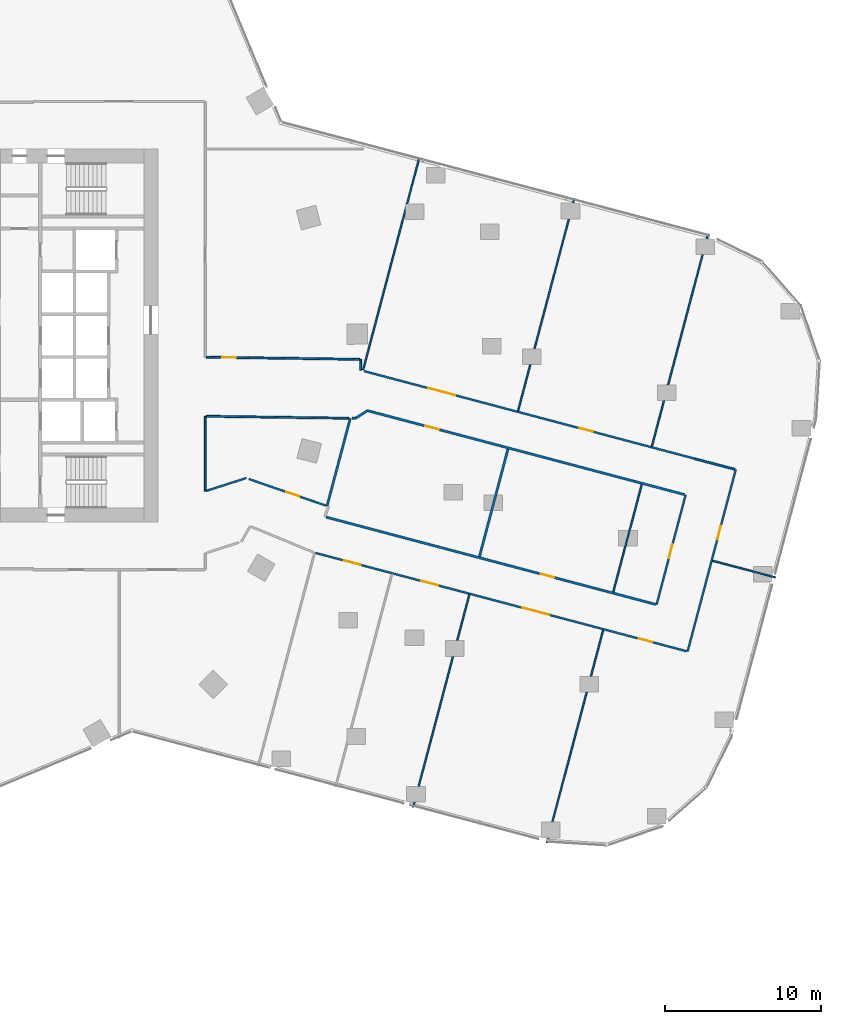
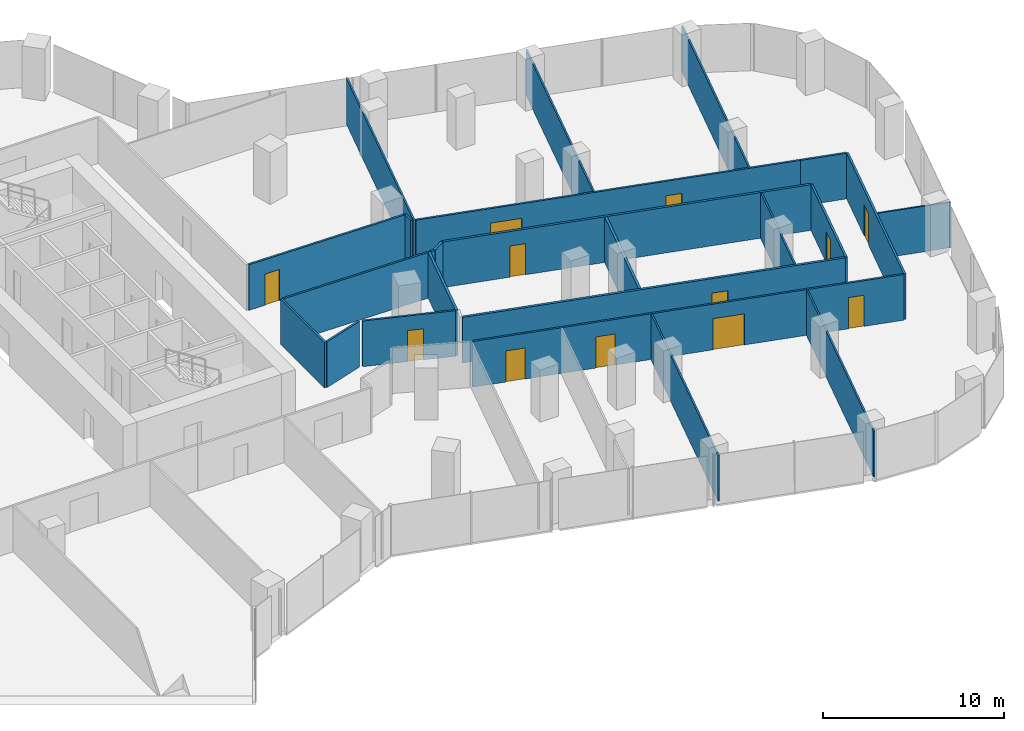
# One storey, part 29 of 34: 24 walls, 12 doors, 12 openings.
"""IFC4 building model written with IfcOpenShell, lengths in metres."""

from ifc_helpers import new_model, si_unit, direction, frame, frame_2d, origin, place, context, subcontext, project, spatial, rectangle, extrude, material, layer, layer_set, type_object, element, fill, save


model = new_model("IFC4")

# Units and contexts
model_context = context("Model", 3, precision=1e-05, world=origin(), true_north=direction((0.0, 1.0)))
body_context = subcontext(model_context, "Body", "Model", "MODEL_VIEW")
ifc_project = project(units=[si_unit("LENGTHUNIT", "METRE"), si_unit("AREAUNIT", "SQUARE_METRE"), si_unit("VOLUMEUNIT", "CUBIC_METRE"), si_unit("PLANEANGLEUNIT", "RADIAN"), si_unit("MASSUNIT", "GRAM", prefix="KILO")], contexts=[model_context])

# Site, building, storey
site_placement = place(None, origin())
site = spatial("IfcSite", under=ifc_project, at=site_placement, CompositionType="ELEMENT")
building_placement = place(site_placement, origin())
building = spatial("IfcBuilding", under=site, at=building_placement, Name="Orlundy Tower", CompositionType="ELEMENT")
storey_placement = place(building_placement, frame((0.0, 0.0, 109.199951171875)))
storey = spatial("IfcBuildingStorey", under=building, at=storey_placement, Name="L27", CompositionType="ELEMENT", Elevation=109.199951171875)

# Walls
ifc_material_1 = material(Name="Gypsum board partition")
ifc_layer_1 = layer(ifc_material_1, 0.10009765625)
ifc_layer_set_1 = layer_set([ifc_layer_1], Name="Floor partition 100")
wall_type_1 = type_object("IfcWallType", Name="Floor partition 100", PredefinedType="PARTITIONING", material=ifc_layer_set_1)
wall_1_placement = place(storey_placement, frame((54.677978515625, -14.47998046875, 0.0), z_axis=(0.0, 0.0, 1.0), x_axis=(0.966677650958, -0.255996717047, 0.0)))
element("IfcWall", 1, at=wall_1_placement, inside=storey, type_object=wall_type_1, Name="wall-int-L27-023", PredefinedType="PARTITIONING", context=body_context, shape_type="SweptSolid", body=[
    extrude(rectangle(XDim=4.187744140625, YDim=0.10009765625, at=frame_2d((2.09375, 0.0))), origin(), (0.0, 0.0, 1.0), 3.080078125),
])
wall_2_placement = place(storey_placement, frame((44.01904296875, -32.60595703125, 0.0), z_axis=(0.0, 0.0, 1.0), x_axis=(0.25603399679, 0.966667777723, 0.0)))
element("IfcWall", 2, at=wall_2_placement, inside=storey, type_object=wall_type_1, Name="wall-int-L27-059", PredefinedType="PARTITIONING", context=body_context, shape_type="SweptSolid", body=[
    extrude(rectangle(XDim=14.13818359375, YDim=0.10009765625, at=frame_2d((7.069091796875, 0.0))), origin(), (0.0, 0.0, 1.0), 3.080078125),
])
wall_3_placement = place(storey_placement, frame((48.2880859375, -16.487060546875, 0.0), z_axis=(0.0, 0.0, 1.0), x_axis=(0.256040833757, 0.966665966841, 0.0)))
element("IfcWall", 3, at=wall_3_placement, inside=storey, type_object=wall_type_1, Name="wall-int-L27-060", PredefinedType="PARTITIONING", context=body_context, shape_type="SweptSolid", body=[
    extrude(rectangle(XDim=7.150390625, YDim=0.10009765625, at=frame_2d((3.5751953125, 0.0))), origin(), (0.0, 0.0, 1.0), 3.080078125),
])
wall_4_placement = place(storey_placement, frame((50.76904296875, -7.1220703125, 0.0), z_axis=(0.0, 0.0, 1.0), x_axis=(0.255986543434, 0.966680345089, 0.0)))
element("IfcWall", 4, at=wall_4_placement, inside=storey, type_object=wall_type_1, Name="wall-int-L27-061", PredefinedType="PARTITIONING", context=body_context, shape_type="SweptSolid", body=[
    extrude(rectangle(XDim=14.136962890625, YDim=0.10009765625, at=frame_2d((7.068359375, 0.0))), origin(), (0.0, 0.0, 1.0), 3.080078125),
])
wall_5_placement = place(storey_placement, frame((35.4169921875, -30.327880859375, 0.0), z_axis=(0.0, 0.0, 1.0), x_axis=(0.255904901066, 0.966701961108, 0.0)))
element("IfcWall", 5, at=wall_5_placement, inside=storey, type_object=wall_type_1, Name="wall-int-L27-062", PredefinedType="PARTITIONING", context=body_context, shape_type="SweptSolid", body=[
    extrude(rectangle(XDim=14.1376953125, YDim=0.10009765625, at=frame_2d((7.06884765625, 0.0))), origin(), (0.0, 0.0, 1.0), 3.080078125),
])
wall_6_placement = place(storey_placement, frame((42.1650390625, -4.843017578125, 0.0), z_axis=(0.0, 0.0, 1.0), x_axis=(0.255986543434, 0.966680345089, 0.0)))
element("IfcWall", 6, at=wall_6_placement, inside=storey, type_object=wall_type_1, Name="wall-int-L27-064", PredefinedType="PARTITIONING", context=body_context, shape_type="SweptSolid", body=[
    extrude(rectangle(XDim=14.136962890625, YDim=0.10009765625, at=frame_2d((7.068359375, 0.0))), origin(), (0.0, 0.0, 1.0), 3.080078125),
])
wall_7_placement = place(storey_placement, frame((32.201904296875, -2.205078125, 0.0), z_axis=(0.0, 0.0, 1.0), x_axis=(0.256002681219, 0.966676071499, 0.0)))
element("IfcWall", 7, at=wall_7_placement, inside=storey, type_object=wall_type_1, Name="wall-int-L27-068", PredefinedType="PARTITIONING", context=body_context, shape_type="SweptSolid", body=[
    extrude(rectangle(XDim=14.13720703125, YDim=0.10009765625, at=frame_2d((7.068603515625, 0.0))), origin(), (0.0, 0.0, 1.0), 3.080078125),
])

# Wall, opening, door
ifc_material_2 = material(Name="Gypsum board partition, double layer")
ifc_layer_2 = layer(ifc_material_2, 0.125)
ifc_layer_set_2 = layer_set([ifc_layer_2], Name="Floor partition 125")
wall_type_2 = type_object("IfcWallType", Name="Floor partition 125", PredefinedType="PARTITIONING", material=ifc_layer_set_2)
wall_8_placement = place(storey_placement, frame((24.85888671875, -9.22509765625, 0.0), z_axis=(0.0, 0.0, 1.0), x_axis=(0.945256069843, -0.326329530421, 0.0)))
wall_8 = element("IfcWall", 8, at=wall_8_placement, inside=storey, type_object=wall_type_2, Name="wall-int-L27-019", PredefinedType="PARTITIONING", context=body_context, shape_type="SweptSolid", body=[
    extrude(rectangle(XDim=5.239990234375, YDim=0.125, at=frame_2d((2.6201171875, 0.0))), origin(), (0.0, 0.0, 1.0), 3.080078125),
])
opening_1_placement = place(wall_8_placement, frame((2.53271484375, 0.0, 0.0)))
opening_1 = element("IfcOpeningElement", 9, at=opening_1_placement, cuts=wall_8, Name="Opening 21126", PredefinedType="OPENING", context=body_context, shape_type="SweptSolid", body=[
    extrude(rectangle(XDim=0.89990234375, YDim=2.10009765625, at=frame_2d((0.449951171875, 1.050048828125))), frame((0.0, 0.072509765625, 0.0), z_axis=(0.0, -1.0, 0.0), x_axis=(1.0, 0.0, 0.0)), (0.0, 0.0, 1.0), 0.14501953125),
])
ifc_material_3 = material(Name="Timber door leaf", Category="wood")
door_type_1 = type_object("IfcDoorType", Name="Floor door single 900 FD30S", OperationType="NOTDEFINED", PredefinedType="DOOR", material=ifc_material_3)
door_1_placement = place(opening_1_placement, origin())
door_1 = element("IfcDoor", 10, at=door_1_placement, inside=storey, type_object=door_type_1, Name="Door 21126", OperationType="SINGLE_SWING_RIGHT", OverallHeight=2.10009765625, OverallWidth=0.89990234375, PredefinedType="DOOR", context=body_context, shape_type="SweptSolid", body=[
    extrude(rectangle(XDim=0.89990234375, YDim=2.10009765625, at=frame_2d((0.449951171875, 1.050048828125))), frame((0.0, 0.02490234375, 0.0), z_axis=(0.0, -1.0, 0.0), x_axis=(1.0, 0.0, 0.0)), (0.0, 0.0, 1.0), 0.050048828125),
])
fill(opening_1, door_1)

# Wall
wall_9_placement = place(storey_placement, frame((56.10595703125, -8.60009765625, 0.0), z_axis=(0.0, 0.0, 1.0), x_axis=(-0.966610224472, 0.256251193065, 0.0)))
element("IfcWall", 11, at=wall_9_placement, inside=storey, type_object=wall_type_2, Name="wall-int-L27-020", PredefinedType="PARTITIONING", context=body_context, shape_type="SweptSolid", body=[
    extrude(rectangle(XDim=2.63818359375, YDim=0.125, at=frame_2d((1.319091796875, 0.0))), origin(), (0.0, 0.0, 1.0), 3.080078125),
])

# Wall, openings, doors
wall_10_placement = place(storey_placement, frame((53.007080078125, -20.299072265625, 0.0), z_axis=(0.0, 0.0, 1.0), x_axis=(-0.966653562273, 0.256087661835, 0.0)))
wall_10 = element("IfcWall", 12, at=wall_10_placement, inside=storey, type_object=wall_type_2, Name="wall-int-L27-021", PredefinedType="PARTITIONING", context=body_context, shape_type="SweptSolid", body=[
    extrude(rectangle(XDim=24.694580078125, YDim=0.125, at=frame_2d((12.34716796875, 0.0))), origin(), (0.0, 0.0, 1.0), 3.080078125),
])
opening_2_placement = place(wall_10_placement, frame((2.287353515625, 0.0, 0.0)))
opening_2 = element("IfcOpeningElement", 13, at=opening_2_placement, cuts=wall_10, Name="Opening 21106", PredefinedType="OPENING", context=body_context, shape_type="SweptSolid", body=[
    extrude(rectangle(XDim=0.89990234375, YDim=2.10009765625, at=frame_2d((0.449951171875, 1.050048828125))), frame((0.0, 0.072509765625, 0.0), z_axis=(0.0, -1.0, 0.0), x_axis=(1.0, 0.0, 0.0)), (0.0, 0.0, 1.0), 0.14501953125),
])
opening_3_placement = place(wall_10_placement, frame((21.690185546875, 0.0, 0.0)))
opening_3 = element("IfcOpeningElement", 14, at=opening_3_placement, cuts=wall_10, Name="Opening 21107", PredefinedType="OPENING", context=body_context, shape_type="SweptSolid", body=[
    extrude(rectangle(XDim=1.10009765625, YDim=2.10009765625, at=frame_2d((0.550048828125, 1.050048828125))), frame((0.0, 0.072509765625, 0.0), z_axis=(0.0, -1.0, 0.0), x_axis=(1.0, 0.0, 0.0)), (0.0, 0.0, 1.0), 0.14501953125),
])
opening_4_placement = place(wall_10_placement, frame((16.53759765625, 0.0, 0.0)))
opening_4 = element("IfcOpeningElement", 15, at=opening_4_placement, cuts=wall_10, Name="Opening 21108", PredefinedType="OPENING", context=body_context, shape_type="SweptSolid", body=[
    extrude(rectangle(XDim=1.10009765625, YDim=2.10009765625, at=frame_2d((0.550048828125, 1.050048828125))), frame((0.0, 0.072509765625, 0.0), z_axis=(0.0, -1.0, 0.0), x_axis=(1.0, 0.0, 0.0)), (0.0, 0.0, 1.0), 0.14501953125),
])
opening_5_placement = place(wall_10_placement, frame((9.136962890625, 0.0, 0.0)))
opening_5 = element("IfcOpeningElement", 16, at=opening_5_placement, cuts=wall_10, Name="Opening 21109", PredefinedType="OPENING", context=body_context, shape_type="SweptSolid", body=[
    extrude(rectangle(XDim=1.800048828125, YDim=2.10009765625, at=frame_2d((0.89990234375, 1.050048828125))), frame((0.0, 0.072509765625, 0.0), z_axis=(0.0, -1.0, 0.0), x_axis=(1.0, 0.0, 0.0)), (0.0, 0.0, 1.0), 0.14501953125),
])
ifc_material_4 = material(Name="Timber door leaf", Category="wood")
door_type_2 = type_object("IfcDoorType", Name="Floor door double 1800 FD30S", OperationType="NOTDEFINED", PredefinedType="DOOR", material=ifc_material_4)
door_2_placement = place(opening_5_placement, origin())
door_2 = element("IfcDoor", 17, at=door_2_placement, inside=storey, type_object=door_type_2, Name="Door 21109", OperationType="DOUBLE_DOOR_SINGLE_SWING", OverallHeight=2.10009765625, OverallWidth=1.800048828125, PredefinedType="DOOR", context=body_context, shape_type="SweptSolid", body=[
    extrude(rectangle(XDim=1.800048828125, YDim=2.10009765625, at=frame_2d((0.89990234375, 1.050048828125))), frame((0.0, 0.02490234375, 0.0), z_axis=(0.0, -1.0, 0.0), x_axis=(1.0, 0.0, 0.0)), (0.0, 0.0, 1.0), 0.050048828125),
])
fill(opening_5, door_2)
door_3_placement = place(opening_2_placement, origin())
door_3 = element("IfcDoor", 18, at=door_3_placement, inside=storey, type_object=door_type_1, Name="Door 21106", OperationType="SINGLE_SWING_LEFT", OverallHeight=2.10009765625, OverallWidth=0.89990234375, PredefinedType="DOOR", context=body_context, shape_type="SweptSolid", body=[
    extrude(rectangle(XDim=0.89990234375, YDim=2.10009765625, at=frame_2d((0.449951171875, 1.050048828125))), frame((0.0, 0.02490234375, 0.0), z_axis=(0.0, -1.0, 0.0), x_axis=(1.0, 0.0, 0.0)), (0.0, 0.0, 1.0), 0.050048828125),
])
fill(opening_2, door_3)
ifc_material_5 = material(Name="Timber door leaf", Category="wood")
door_type_3 = type_object("IfcDoorType", Name="Floor door xwide 1100 FD30S", OperationType="NOTDEFINED", PredefinedType="DOOR", material=ifc_material_5)
door_4_placement = place(opening_3_placement, origin())
door_4 = element("IfcDoor", 19, at=door_4_placement, inside=storey, type_object=door_type_3, Name="Door 21107", OperationType="SINGLE_SWING_RIGHT", OverallHeight=2.10009765625, OverallWidth=1.10009765625, PredefinedType="DOOR", context=body_context, shape_type="SweptSolid", body=[
    extrude(rectangle(XDim=1.10009765625, YDim=2.10009765625, at=frame_2d((0.550048828125, 1.050048828125))), frame((0.0, 0.02490234375, 0.0), z_axis=(0.0, -1.0, 0.0), x_axis=(1.0, 0.0, 0.0)), (0.0, 0.0, 1.0), 0.050048828125),
])
fill(opening_3, door_4)
door_5_placement = place(opening_4_placement, origin())
door_5 = element("IfcDoor", 20, at=door_5_placement, inside=storey, type_object=door_type_3, Name="Door 21108", OperationType="SINGLE_SWING_RIGHT", OverallHeight=2.10009765625, OverallWidth=1.10009765625, PredefinedType="DOOR", context=body_context, shape_type="SweptSolid", body=[
    extrude(rectangle(XDim=1.10009765625, YDim=2.10009765625, at=frame_2d((0.550048828125, 1.050048828125))), frame((0.0, 0.02490234375, 0.0), z_axis=(0.0, -1.0, 0.0), x_axis=(1.0, 0.0, 0.0)), (0.0, 0.0, 1.0), 0.050048828125),
])
fill(opening_4, door_5)

wall_11_placement = place(storey_placement, frame((32.262939453125, -2.285888671875, 0.0), z_axis=(0.0, 0.0, 1.0), x_axis=(0.966698776393, -0.255916931288, 0.0)))
wall_11 = element("IfcWall", 21, at=wall_11_placement, inside=storey, type_object=wall_type_2, Name="wall-int-L27-025", PredefinedType="PARTITIONING", context=body_context, shape_type="SweptSolid", body=[
    extrude(rectangle(XDim=22.027587890625, YDim=0.125, at=frame_2d((11.013671875, 0.0))), origin(), (0.0, 0.0, 1.0), 3.080078125),
])
opening_6_placement = place(wall_11_placement, frame((4.27001953125, 0.0, 0.0)))
opening_6 = element("IfcOpeningElement", 22, at=opening_6_placement, cuts=wall_11, Name="Opening 21100", PredefinedType="OPENING", context=body_context, shape_type="SweptSolid", body=[
    extrude(rectangle(XDim=1.800048828125, YDim=2.10009765625, at=frame_2d((0.89990234375, 1.050048828125))), frame((0.0, 0.072509765625, 0.0), z_axis=(0.0, -1.0, 0.0), x_axis=(1.0, 0.0, 0.0)), (0.0, 0.0, 1.0), 0.14501953125),
])
opening_7_placement = place(wall_11_placement, frame((14.326171875, 0.0, 0.0)))
opening_7 = element("IfcOpeningElement", 23, at=opening_7_placement, cuts=wall_11, Name="Opening 21101", PredefinedType="OPENING", context=body_context, shape_type="SweptSolid", body=[
    extrude(rectangle(XDim=0.89990234375, YDim=2.10009765625, at=frame_2d((0.449951171875, 1.050048828125))), frame((0.0, 0.072509765625, 0.0), z_axis=(0.0, -1.0, 0.0), x_axis=(1.0, 0.0, 0.0)), (0.0, 0.0, 1.0), 0.14501953125),
])
door_6_placement = place(opening_6_placement, origin())
door_6 = element("IfcDoor", 24, at=door_6_placement, inside=storey, type_object=door_type_2, Name="Door 21100", OperationType="DOUBLE_DOOR_SINGLE_SWING", OverallHeight=2.10009765625, OverallWidth=1.800048828125, PredefinedType="DOOR", context=body_context, shape_type="SweptSolid", body=[
    extrude(rectangle(XDim=1.800048828125, YDim=2.10009765625, at=frame_2d((0.89990234375, 1.050048828125))), frame((0.0, 0.02490234375, 0.0), z_axis=(0.0, -1.0, 0.0), x_axis=(1.0, 0.0, 0.0)), (0.0, 0.0, 1.0), 0.050048828125),
])
fill(opening_6, door_6)
door_7_placement = place(opening_7_placement, origin())
door_7 = element("IfcDoor", 25, at=door_7_placement, inside=storey, type_object=door_type_1, Name="Door 21101", OperationType="SINGLE_SWING_RIGHT", OverallHeight=2.10009765625, OverallWidth=0.89990234375, PredefinedType="DOOR", context=body_context, shape_type="SweptSolid", body=[
    extrude(rectangle(XDim=0.89990234375, YDim=2.10009765625, at=frame_2d((0.449951171875, 1.050048828125))), frame((0.0, 0.02490234375, 0.0), z_axis=(0.0, -1.0, 0.0), x_axis=(1.0, 0.0, 0.0)), (0.0, 0.0, 1.0), 0.050048828125),
])
fill(opening_7, door_7)

# Wall
wall_12_placement = place(storey_placement, frame((22.113037109375, -5.18896484375, 0.0), z_axis=(0.0, 0.0, 1.0), x_axis=(0.99990421927, -0.013840241536, 0.0)))
element("IfcWall", 26, at=wall_12_placement, inside=storey, type_object=wall_type_2, Name="wall-int-L27-029", PredefinedType="PARTITIONING", context=body_context, shape_type="SweptSolid", body=[
    extrude(rectangle(XDim=9.1728515625, YDim=0.125, at=frame_2d((4.58642578125, 0.0))), origin(), (0.0, 0.0, 1.0), 3.080078125),
])

# Wall, opening, door
wall_13_placement = place(storey_placement, frame((22.113037109375, -1.386962890625, 0.0), z_axis=(0.0, 0.0, 1.0), x_axis=(0.999897954627, -0.01428566882, 0.0)))
wall_13 = element("IfcWall", 27, at=wall_13_placement, inside=storey, type_object=wall_type_2, Name="wall-int-L27-030", PredefinedType="PARTITIONING", context=body_context, shape_type="SweptSolid", body=[
    extrude(rectangle(XDim=9.8779296875, YDim=0.125, at=frame_2d((4.93896484375, 0.0))), origin(), (0.0, 0.0, 1.0), 3.080078125),
])
opening_8_placement = place(wall_13_placement, frame((1.03759765625, 0.0, 0.0)))
opening_8 = element("IfcOpeningElement", 28, at=opening_8_placement, cuts=wall_13, Name="Opening 21128", PredefinedType="OPENING", context=body_context, shape_type="SweptSolid", body=[
    extrude(rectangle(XDim=0.89990234375, YDim=2.10009765625, at=frame_2d((0.449951171875, 1.050048828125))), frame((0.0, 0.072509765625, 0.0), z_axis=(0.0, -1.0, 0.0), x_axis=(1.0, 0.0, 0.0)), (0.0, 0.0, 1.0), 0.14501953125),
])
door_8_placement = place(opening_8_placement, origin())
door_8 = element("IfcDoor", 29, at=door_8_placement, inside=storey, type_object=door_type_1, Name="Door 21128", OperationType="SINGLE_SWING_LEFT", OverallHeight=2.10009765625, OverallWidth=0.89990234375, PredefinedType="DOOR", context=body_context, shape_type="SweptSolid", body=[
    extrude(rectangle(XDim=0.89990234375, YDim=2.10009765625, at=frame_2d((0.449951171875, 1.050048828125))), frame((0.0, 0.02490234375, 0.0), z_axis=(0.0, -1.0, 0.0), x_axis=(1.0, 0.0, 0.0)), (0.0, 0.0, 1.0), 0.050048828125),
])
fill(opening_8, door_8)

# Wall
wall_14_placement = place(storey_placement, frame((22.133056640625, -9.98095703125, 0.0), z_axis=(0.0, 0.0, 1.0), x_axis=(0.952218321785, 0.305418184882, 0.0)))
element("IfcWall", 30, at=wall_14_placement, inside=storey, type_object=wall_type_2, Name="wall-int-L27-044", PredefinedType="PARTITIONING", context=body_context, shape_type="SweptSolid", body=[
    extrude(rectangle(XDim=2.674560546875, YDim=0.125, at=frame_2d((1.33740234375, 0.0))), origin(), (0.0, 0.0, 1.0), 3.080078125),
])

# Wall, opening, door
wall_15_placement = place(storey_placement, frame((56.1650390625, -8.615966796875, 0.0), z_axis=(0.0, 0.0, 1.0), x_axis=(-0.255867603739, -0.966711833669, 0.0)))
wall_15 = element("IfcWall", 31, at=wall_15_placement, inside=storey, type_object=wall_type_2, Name="wall-int-L27-057", PredefinedType="PARTITIONING", context=body_context, shape_type="SweptSolid", body=[
    extrude(rectangle(XDim=12.099853515625, YDim=0.125, at=frame_2d((6.0498046875, 0.0))), origin(), (0.0, 0.0, 1.0), 3.080078125),
])
opening_9_placement = place(wall_15_placement, frame((3.75, 0.0, 0.0)))
opening_9 = element("IfcOpeningElement", 32, at=opening_9_placement, cuts=wall_15, Name="Opening 21105", PredefinedType="OPENING", context=body_context, shape_type="SweptSolid", body=[
    extrude(rectangle(XDim=0.89990234375, YDim=2.10009765625, at=frame_2d((0.449951171875, 1.050048828125))), frame((0.0, 0.072509765625, 0.0), z_axis=(0.0, -1.0, 0.0), x_axis=(1.0, 0.0, 0.0)), (0.0, 0.0, 1.0), 0.14501953125),
])
door_9_placement = place(opening_9_placement, origin())
door_9 = element("IfcDoor", 33, at=door_9_placement, inside=storey, type_object=door_type_1, Name="Door 21105", OperationType="SINGLE_SWING_LEFT", OverallHeight=2.10009765625, OverallWidth=0.89990234375, PredefinedType="DOOR", context=body_context, shape_type="SweptSolid", body=[
    extrude(rectangle(XDim=0.89990234375, YDim=2.10009765625, at=frame_2d((0.449951171875, 1.050048828125))), frame((0.0, 0.02490234375, 0.0), z_axis=(0.0, -1.0, 0.0), x_axis=(1.0, 0.0, 0.0)), (0.0, 0.0, 1.0), 0.050048828125),
])
fill(opening_9, door_9)

wall_16_placement = place(storey_placement, frame((51.072021484375, -17.301025390625, 0.0), z_axis=(0.0, 0.0, 1.0), x_axis=(0.256040569916, 0.966666036725, 0.0)))
wall_16 = element("IfcWall", 34, at=wall_16_placement, inside=storey, type_object=wall_type_2, Name="wall-int-L27-058", PredefinedType="PARTITIONING", context=body_context, shape_type="SweptSolid", body=[
    extrude(rectangle(XDim=7.29931640625, YDim=0.125, at=frame_2d((3.649658203125, 0.0))), origin(), (0.0, 0.0, 1.0), 3.080078125),
])
opening_10_placement = place(wall_16_placement, frame((3.10009765625, 0.0, 0.0)))
opening_10 = element("IfcOpeningElement", 35, at=opening_10_placement, cuts=wall_16, Name="Opening 21104", PredefinedType="OPENING", context=body_context, shape_type="SweptSolid", body=[
    extrude(rectangle(XDim=0.89990234375, YDim=2.10009765625, at=frame_2d((0.449951171875, 1.050048828125))), frame((0.0, 0.072509765625, 0.0), z_axis=(0.0, -1.0, 0.0), x_axis=(1.0, 0.0, 0.0)), (0.0, 0.0, 1.0), 0.14501953125),
])
door_10_placement = place(opening_10_placement, origin())
door_10 = element("IfcDoor", 36, at=door_10_placement, inside=storey, type_object=door_type_1, Name="Door 21104", OperationType="SINGLE_SWING_LEFT", OverallHeight=2.10009765625, OverallWidth=0.89990234375, PredefinedType="DOOR", context=body_context, shape_type="SweptSolid", body=[
    extrude(rectangle(XDim=0.89990234375, YDim=2.10009765625, at=frame_2d((0.449951171875, 1.050048828125))), frame((0.0, 0.02490234375, 0.0), z_axis=(0.0, -1.0, 0.0), x_axis=(1.0, 0.0, 0.0)), (0.0, 0.0, 1.0), 0.050048828125),
])
fill(opening_10, door_10)

# Walls
wall_17_placement = place(storey_placement, frame((32.0439453125, -2.22705078125, 0.0), z_axis=(0.0, 0.0, 1.0), x_axis=(0.01290440153, 0.999916734744, 0.0)))
element("IfcWall", 37, at=wall_17_placement, inside=storey, type_object=wall_type_2, Name="wall-int-L27-072", PredefinedType="PARTITIONING", context=body_context, shape_type="SweptSolid", body=[
    extrude(rectangle(XDim=0.699951171875, YDim=0.125, at=frame_2d((0.35009765625, 0.0))), origin(), (0.0, 0.0, 1.0), 3.080078125),
])
wall_18_placement = place(storey_placement, frame((22.051025390625, -10.007080078125, 0.0), z_axis=(0.0, 0.0, 1.0), x_axis=(0.0, 1.0, 0.0)))
element("IfcWall", 38, at=wall_18_placement, inside=storey, type_object=wall_type_2, Name="wall-int-L27-074", PredefinedType="PARTITIONING", context=body_context, shape_type="SweptSolid", body=[
    extrude(rectangle(XDim=4.819091796875, YDim=0.125, at=frame_2d((2.40966796875, 0.0))), origin(), (0.0, 0.0, 1.0), 3.080078125),
])

# Wall, opening, door
ifc_material_6 = material(Name="Blockwork shaft wall", Category="masonry")
ifc_layer_3 = layer(ifc_material_6, 0.14990234375)
ifc_layer_set_3 = layer_set([ifc_layer_3], Name="Floor shaft wall 150")
wall_type_3 = type_object("IfcWallType", Name="Floor shaft wall 150", PredefinedType="PARTITIONING", material=ifc_layer_set_3)
wall_19_placement = place(storey_placement, frame((29.819091796875, -11.672119140625, 0.0), z_axis=(0.0, 0.0, 1.0), x_axis=(0.966680429276, -0.255986225517, 0.0)))
wall_19 = element("IfcWall", 39, at=wall_19_placement, inside=storey, type_object=wall_type_3, Name="wall-int-L27-022", PredefinedType="PARTITIONING", context=body_context, shape_type="SweptSolid", body=[
    extrude(rectangle(XDim=21.92236328125, YDim=0.14990234375, at=frame_2d((10.961181640625, 0.0))), origin(), (0.0, 0.0, 1.0), 3.080078125),
])
opening_11_placement = place(wall_19_placement, frame((14.286865234375, 0.0, 0.0)))
opening_11 = element("IfcOpeningElement", 40, at=opening_11_placement, cuts=wall_19, Name="Opening 21103", PredefinedType="OPENING", context=body_context, shape_type="SweptSolid", body=[
    extrude(rectangle(XDim=0.89990234375, YDim=2.10009765625, at=frame_2d((0.449951171875, 1.050048828125))), frame((0.0, 0.0849609375, 0.0), z_axis=(0.0, -1.0, 0.0), x_axis=(1.0, 0.0, 0.0)), (0.0, 0.0, 1.0), 0.169921875),
])
ifc_material_7 = material(Name="Timber door leaf", Category="wood")
door_type_4 = type_object("IfcDoorType", Name="Floor door single 900 FD60", OperationType="NOTDEFINED", PredefinedType="DOOR", material=ifc_material_7)
door_11_placement = place(opening_11_placement, origin())
door_11 = element("IfcDoor", 41, at=door_11_placement, inside=storey, type_object=door_type_4, Name="Door 21103", OperationType="SINGLE_SWING_RIGHT", OverallHeight=2.10009765625, OverallWidth=0.89990234375, PredefinedType="DOOR", context=body_context, shape_type="SweptSolid", body=[
    extrude(rectangle(XDim=0.89990234375, YDim=2.10009765625, at=frame_2d((0.449951171875, 1.050048828125))), frame((0.0, 0.02490234375, 0.0), z_axis=(0.0, -1.0, 0.0), x_axis=(1.0, 0.0, 0.0)), (0.0, 0.0, 1.0), 0.050048828125),
])
fill(opening_11, door_11)

wall_20_placement = place(storey_placement, frame((52.881103515625, -10.22802734375, 0.0), z_axis=(0.0, 0.0, 1.0), x_axis=(-0.966683420864, 0.255974928122, 0.0)))
wall_20 = element("IfcWall", 42, at=wall_20_placement, inside=storey, type_object=wall_type_3, Name="wall-int-L27-024", PredefinedType="PARTITIONING", context=body_context, shape_type="SweptSolid", body=[
    extrude(rectangle(XDim=21.10009765625, YDim=0.14990234375, at=frame_2d((10.550048828125, 0.0))), origin(), (0.0, 0.0, 1.0), 3.080078125),
])
opening_12_placement = place(wall_20_placement, frame((16.3369140625, 0.0, 0.0)))
opening_12 = element("IfcOpeningElement", 43, at=opening_12_placement, cuts=wall_20, Name="Opening 21102", PredefinedType="OPENING", context=body_context, shape_type="SweptSolid", body=[
    extrude(rectangle(XDim=0.89990234375, YDim=2.10009765625, at=frame_2d((0.449951171875, 1.050048828125))), frame((0.0, 0.0849609375, 0.0), z_axis=(0.0, -1.0, 0.0), x_axis=(1.0, 0.0, 0.0)), (0.0, 0.0, 1.0), 0.169921875),
])
door_12_placement = place(opening_12_placement, origin())
door_12 = element("IfcDoor", 44, at=door_12_placement, inside=storey, type_object=door_type_4, Name="Door 21102", OperationType="SINGLE_SWING_RIGHT", OverallHeight=2.10009765625, OverallWidth=0.89990234375, PredefinedType="DOOR", context=body_context, shape_type="SweptSolid", body=[
    extrude(rectangle(XDim=0.89990234375, YDim=2.10009765625, at=frame_2d((0.449951171875, 1.050048828125))), frame((0.0, 0.02490234375, 0.0), z_axis=(0.0, -1.0, 0.0), x_axis=(1.0, 0.0, 0.0)), (0.0, 0.0, 1.0), 0.050048828125),
])
fill(opening_12, door_12)

# Walls
wall_21_placement = place(storey_placement, frame((31.472900390625, -5.320068359375, 0.0), z_axis=(0.0, 0.0, 1.0), x_axis=(0.999857302277, -0.016893048402, 0.0)))
element("IfcWall", 45, at=wall_21_placement, inside=storey, type_object=wall_type_3, Name="wall-int-L27-028", PredefinedType="PARTITIONING", context=body_context, shape_type="SweptSolid", body=[
    extrude(rectangle(XDim=0.231201171875, YDim=0.14990234375, at=frame_2d((0.11572265625, 0.0))), origin(), (0.0, 0.0, 1.0), 3.080078125),
])
wall_22_placement = place(storey_placement, frame((39.68505859375, -14.2080078125, 0.0), z_axis=(0.0, 0.0, 1.0), x_axis=(0.256072738338, 0.966657515711, 0.0)))
element("IfcWall", 46, at=wall_22_placement, inside=storey, type_object=wall_type_3, Name="wall-int-L27-063", PredefinedType="PARTITIONING", context=body_context, shape_type="SweptSolid", body=[
    extrude(rectangle(XDim=7.150634765625, YDim=0.14990234375, at=frame_2d((3.5751953125, 0.0))), origin(), (0.0, 0.0, 1.0), 3.080078125),
])
wall_23_placement = place(storey_placement, frame((29.883056640625, -10.9599609375, 0.0), z_axis=(0.0, 0.0, 1.0), x_axis=(0.256008704633, 0.966674476311, 0.0)))
element("IfcWall", 47, at=wall_23_placement, inside=storey, type_object=wall_type_3, Name="wall-int-L27-067", PredefinedType="PARTITIONING", context=body_context, shape_type="SweptSolid", body=[
    extrude(rectangle(XDim=5.83544921875, YDim=0.14990234375, at=frame_2d((2.917724609375, 0.0))), origin(), (0.0, 0.0, 1.0), 3.080078125),
])
wall_24_placement = place(storey_placement, frame((31.705078125, -5.322998046875, 0.0), z_axis=(0.0, 0.0, 1.0), x_axis=(0.84342189249, 0.537251813649, 0.0)))
element("IfcWall", 48, at=wall_24_placement, inside=storey, type_object=wall_type_3, Name="wall-int-L27-071", PredefinedType="PARTITIONING", context=body_context, shape_type="SweptSolid", body=[
    extrude(rectangle(XDim=0.92333984375, YDim=0.14990234375, at=frame_2d((0.461669921875, 0.0))), origin(), (0.0, 0.0, 1.0), 3.080078125),
])

save(model, "model.ifc")
